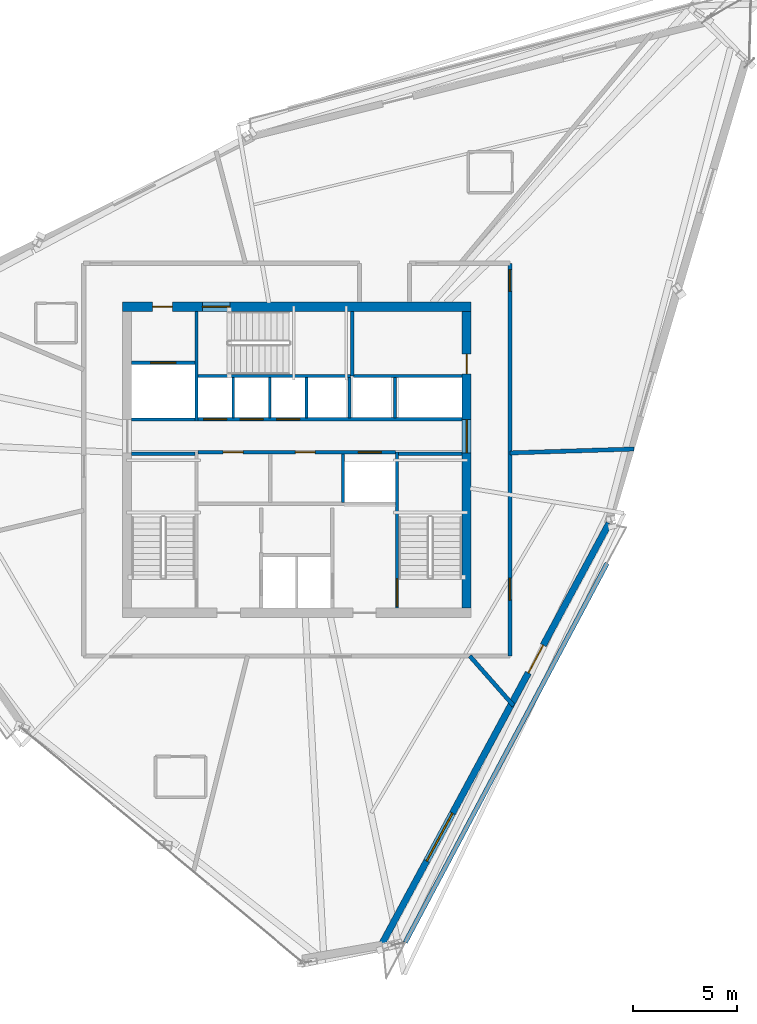
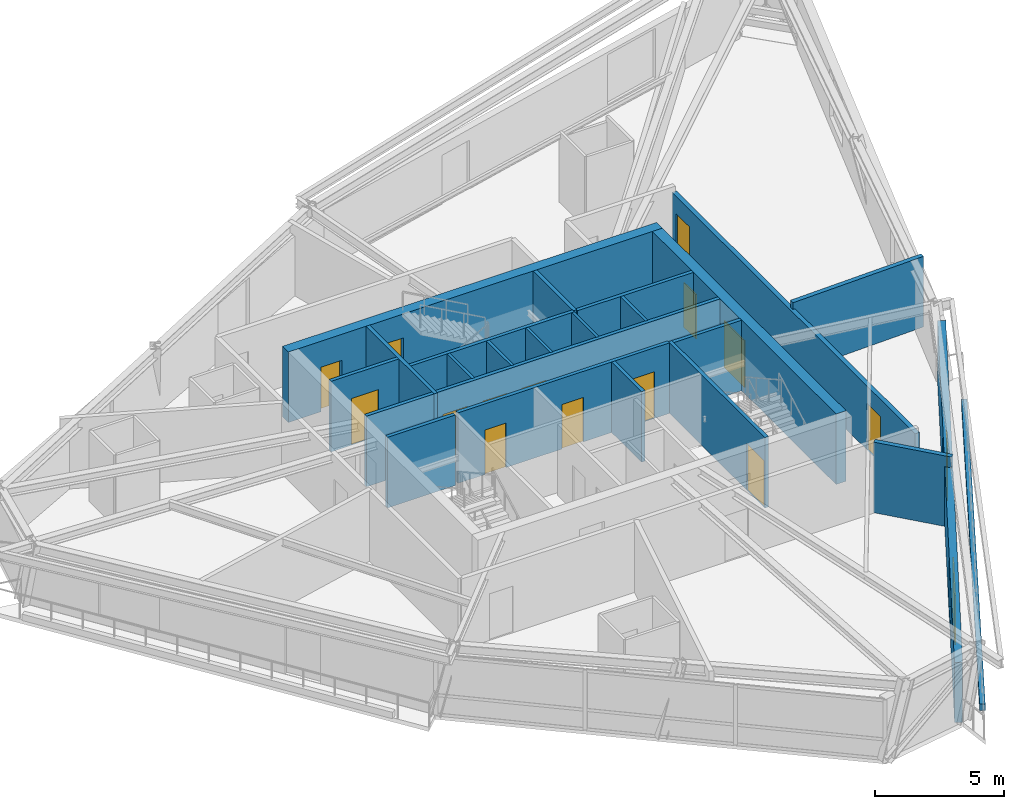
# One storey, part 10 of 14: 24 walls, 15 doors, 1 window, 16 openings.
"""IFC4 building model written with IfcOpenShell, lengths in metres."""

from ifc_helpers import new_model, si_unit, direction, frame, frame_2d, origin, place, context, subcontext, project, spatial, rectangle, extrude, source, transform, mapped, material, layer, layer_set, type_object, type_shapes, element, fill, save


model = new_model("IFC4")

# Units and contexts
model_context = context("Model", 3, precision=1e-05, world=origin(), true_north=direction((0.0, 1.0)))
body_context = subcontext(model_context, "Body", "Model", "MODEL_VIEW")
ifc_project = project(units=[si_unit("LENGTHUNIT", "METRE"), si_unit("AREAUNIT", "SQUARE_METRE"), si_unit("VOLUMEUNIT", "CUBIC_METRE"), si_unit("PLANEANGLEUNIT", "RADIAN"), si_unit("MASSUNIT", "GRAM", prefix="KILO")], contexts=[model_context])

# Site, building, storey
site_placement = place(None, origin())
site = spatial("IfcSite", under=ifc_project, at=site_placement, CompositionType="ELEMENT")
building_placement = place(site_placement, origin())
building = spatial("IfcBuilding", under=site, at=building_placement, Name="Olszyna Solenne Hotel", CompositionType="ELEMENT")
storey_placement = place(building_placement, frame((0.0, 0.0, 220.25)))
storey = spatial("IfcBuildingStorey", under=building, at=storey_placement, Name="L58", CompositionType="ELEMENT", Elevation=220.25)

# Wall, openings, doors
ifc_material_1 = material(Name="Concrete C50/60", Category="concrete")
ifc_layer_1 = layer(ifc_material_1, 0.449951171875, Name="Concrete C50/60")
ifc_layer_set_1 = layer_set([ifc_layer_1], Name="Concrete C50/60")
wall_type_1 = type_object("IfcWallType", Name="WL-CR450", PredefinedType="SHEAR", material=ifc_layer_set_1)
wall_1_placement = place(storey_placement, frame((29.64990234375, 33.925048828125, 0.0), z_axis=(0.0, 0.0, 1.0), x_axis=(1.0, 0.0, 0.0)))
wall_1 = element("IfcWall", 1, at=wall_1_placement, inside=storey, type_object=wall_type_1, Name="Core shear wall WL-CR450 CRW-L58-N", PredefinedType="SHEAR", context=body_context, shape_type="SweptSolid", body=[
    extrude(rectangle(XDim=16.7001953125, YDim=0.449951171875, at=frame_2d((8.35009765625, 0.0))), origin(), (0.0, 0.0, 1.0), 3.330078125),
])
opening_1_placement = place(wall_1_placement, frame((1.449951171875, 0.0, 0.0)))
opening_1 = element("IfcOpeningElement", 2, at=opening_1_placement, cuts=wall_1, Name="Opening SVD-L58-01", PredefinedType="OPENING", context=body_context, shape_type="SweptSolid", body=[
    extrude(rectangle(XDim=0.949951171875, YDim=2.10009765625, at=frame_2d((0.47509765625, 1.050048828125))), frame((0.0, 0.23486328125, 0.0), z_axis=(0.0, -1.0, 0.0), x_axis=(1.0, 0.0, 0.0)), (0.0, 0.0, 1.0), 0.469970703125),
])
opening_2_placement = place(wall_1_placement, frame((3.830078125, 0.0, 0.0)))
opening_2 = element("IfcOpeningElement", 3, at=opening_2_placement, cuts=wall_1, Name="Opening STD-L58-03", PredefinedType="OPENING", context=body_context, shape_type="SweptSolid", body=[
    extrude(rectangle(XDim=1.320068359375, YDim=2.199951171875, at=frame_2d((0.66015625, 1.10009765625))), frame((0.0, 0.23486328125, 0.0), z_axis=(0.0, -1.0, 0.0), x_axis=(1.0, 0.0, 0.0)), (0.0, 0.0, 1.0), 0.469970703125),
])
ifc_material_2 = material(Name="Steel S355J2", Category="steel")
door_type_1 = type_object("IfcDoorType", Name="DR-ST1", OperationType="NOTDEFINED", PredefinedType="DOOR", material=ifc_material_2)
shared_shape_1 = source(origin(), body_context, "Body", "SweptSolid", [
    extrude(rectangle(XDim=1.320068359375, YDim=2.199951171875, at=frame_2d((0.66015625, 1.10009765625))), frame((0.0, 0.02490234375, 0.0), z_axis=(0.0, -1.0, 0.0), x_axis=(1.0, 0.0, 0.0)), (0.0, 0.0, 1.0), 0.050048828125),
])
type_shapes(door_type_1, [shared_shape_1])
door_1_placement = place(opening_2_placement, origin())
door_1 = element("IfcDoor", 4, at=door_1_placement, inside=storey, type_object=door_type_1, Name="Pressurised exit stair ST3 fire door STD-L58-03", OperationType="SINGLE_SWING_RIGHT", OverallHeight=2.199951171875, OverallWidth=1.320068359375, PredefinedType="DOOR", context=body_context, shape_type="MappedRepresentation", body=[
    mapped(shared_shape_1, transform((0.0, 0.0, 0.0), x_axis=(1.0, 0.0, 0.0), y_axis=(0.0, 1.0, 0.0), z_axis=(0.0, 0.0, 1.0), scale=1.0)),
])
fill(opening_2, door_1)
door_type_2 = type_object("IfcDoorType", Name="DR-SV1", OperationType="NOTDEFINED", PredefinedType="DOOR", material=ifc_material_2)
shared_shape_2 = source(origin(), body_context, "Body", "SweptSolid", [
    extrude(rectangle(XDim=0.949951171875, YDim=2.10009765625, at=frame_2d((0.47509765625, 1.050048828125))), frame((0.0, 0.02490234375, 0.0), z_axis=(0.0, -1.0, 0.0), x_axis=(1.0, 0.0, 0.0)), (0.0, 0.0, 1.0), 0.050048828125),
])
type_shapes(door_type_2, [shared_shape_2])
door_2_placement = place(opening_1_placement, origin())
door_2 = element("IfcDoor", 5, at=door_2_placement, inside=storey, type_object=door_type_2, Name="Service lift lobby fire door SVD-L58-01", OperationType="SINGLE_SWING_LEFT", OverallHeight=2.10009765625, OverallWidth=0.949951171875, PredefinedType="DOOR", context=body_context, shape_type="MappedRepresentation", body=[
    mapped(shared_shape_2, transform((0.0, 0.0, 0.0), x_axis=(1.0, 0.0, 0.0), y_axis=(0.0, 1.0, 0.0), z_axis=(0.0, 0.0, 1.0), scale=1.0)),
])
fill(opening_1, door_2)

wall_2_placement = place(storey_placement, frame((46.125, 33.699951171875, 0.0), z_axis=(0.0, 0.0, 1.0), x_axis=(0.0, -1.0, 0.0)))
wall_2 = element("IfcWall", 6, at=wall_2_placement, inside=storey, type_object=wall_type_1, Name="Core shear wall WL-CR450 CRW-L58-E", PredefinedType="SHEAR", context=body_context, shape_type="SweptSolid", body=[
    extrude(rectangle(XDim=14.199951171875, YDim=0.449951171875, at=frame_2d((7.10009765625, 0.0))), origin(), (0.0, 0.0, 1.0), 3.330078125),
])
opening_3_placement = place(wall_2_placement, frame((5.179931640625, 0.0, 0.0)))
opening_3 = element("IfcOpeningElement", 7, at=opening_3_placement, cuts=wall_2, Name="Opening LHD-L58-E", PredefinedType="OPENING", context=body_context, shape_type="SweptSolid", body=[
    extrude(rectangle(XDim=1.60009765625, YDim=2.199951171875, at=frame_2d((0.800048828125, 1.10009765625))), frame((0.0, 0.23486328125, 0.0), z_axis=(0.0, -1.0, 0.0), x_axis=(1.0, 0.0, 0.0)), (0.0, 0.0, 1.0), 0.469970703125),
])
opening_4_placement = place(wall_2_placement, frame((2.050048828125, 0.0, 0.0)))
opening_4 = element("IfcOpeningElement", 8, at=opening_4_placement, cuts=wall_2, Name="Opening SVD-L58-BE", PredefinedType="OPENING", context=body_context, shape_type="SweptSolid", body=[
    extrude(rectangle(XDim=0.949951171875, YDim=2.10009765625, at=frame_2d((0.47509765625, 1.050048828125))), frame((0.0, 0.23486328125, 0.0), z_axis=(0.0, -1.0, 0.0), x_axis=(1.0, 0.0, 0.0)), (0.0, 0.0, 1.0), 0.469970703125),
])
door_3_placement = place(opening_4_placement, origin())
door_3 = element("IfcDoor", 9, at=door_3_placement, inside=storey, type_object=door_type_2, Name="Housekeeping core fire door SVD-L58-BE", OperationType="SINGLE_SWING_RIGHT", OverallHeight=2.10009765625, OverallWidth=0.949951171875, PredefinedType="DOOR", context=body_context, shape_type="MappedRepresentation", body=[
    mapped(shared_shape_2, transform((0.0, 0.0, 0.0), x_axis=(1.0, 0.0, 0.0), y_axis=(0.0, 1.0, 0.0), z_axis=(0.0, 0.0, 1.0), scale=1.0)),
])
fill(opening_4, door_3)
ifc_material_3 = material(Name="Timber hardwood", Category="wood")
door_type_3 = type_object("IfcDoorType", Name="DR-CR1", OperationType="DOUBLE_DOOR_SINGLE_SWING", PredefinedType="DOOR", material=ifc_material_3)
shared_shape_3 = source(origin(), body_context, "Body", "SweptSolid", [
    extrude(rectangle(XDim=1.60009765625, YDim=2.199951171875, at=frame_2d((0.800048828125, 1.10009765625))), frame((0.0, 0.02490234375, 0.0), z_axis=(0.0, -1.0, 0.0), x_axis=(1.0, 0.0, 0.0)), (0.0, 0.0, 1.0), 0.050048828125),
])
type_shapes(door_type_3, [shared_shape_3])
door_4_placement = place(opening_3_placement, origin())
door_4 = element("IfcDoor", 10, at=door_4_placement, inside=storey, type_object=door_type_3, Name="Passenger lift lobby East fire door LHD-L58-E", OperationType="DOUBLE_DOOR_SINGLE_SWING", OverallHeight=2.199951171875, OverallWidth=1.60009765625, PredefinedType="DOOR", context=body_context, shape_type="MappedRepresentation", body=[
    mapped(shared_shape_3, transform((0.0, 0.0, 0.0), x_axis=(1.0, 0.0, 0.0), y_axis=(0.0, 1.0, 0.0), z_axis=(0.0, 0.0, 1.0), scale=1.0)),
])
fill(opening_3, door_4)

# Wall, openings, door, window
ifc_material_4 = material(Name="Precast concrete C45/55", Category="concrete")
ifc_layer_2 = layer(ifc_material_4, 0.320068359375, Name="Precast concrete C45/55")
ifc_layer_set_2 = layer_set([ifc_layer_2], Name="Precast concrete C45/55")
wall_type_2 = type_object("IfcWallType", Name="WL-EX320", PredefinedType="SOLIDWALL", material=ifc_layer_set_2)
wall_3_placement = place(storey_placement, frame((52.9501953125, 23.555419921875, 0.0), z_axis=(0.0, 0.0, 1.0), x_axis=(-0.475160220621, -0.879899292385, 0.0)))
wall_3 = element("IfcWall", 11, at=wall_3_placement, inside=storey, type_object=wall_type_2, Name="Exterior terracotta-precast frame wall WL-EX320 EW-L58-01", PredefinedType="SOLIDWALL", context=body_context, shape_type="SweptSolid", body=[
    extrude(rectangle(XDim=23.072021484375, YDim=0.320068359375, at=frame_2d((11.5361328125, 0.0))), origin(), (0.0, 0.0, 1.0), 2.822021484375),
])
opening_5_placement = place(wall_3_placement, frame((6.633056640625, 0.0, 0.0)))
opening_5 = element("IfcOpeningElement", 12, at=opening_5_placement, cuts=wall_3, Name="Opening LDG-L58-3", PredefinedType="OPENING", context=body_context, shape_type="SweptSolid", body=[
    extrude(rectangle(XDim=1.5, YDim=2.300048828125, at=frame_2d((0.75, 1.14990234375))), frame((0.0, 0.169921875, 0.0), z_axis=(0.0, -1.0, 0.0), x_axis=(1.0, 0.0, 0.0)), (0.0, 0.0, 1.0), 0.340087890625),
])
opening_6_placement = place(wall_3_placement, frame((15.77294921875, 0.0, 0.35205078125)))
opening_6 = element("IfcOpeningElement", 13, at=opening_6_placement, cuts=wall_3, Name="Opening WN-L58-373", PredefinedType="OPENING", context=body_context, shape_type="SweptSolid", body=[
    extrude(rectangle(XDim=2.60009765625, YDim=2.35009765625, at=frame_2d((1.300048828125, 1.175048828125))), frame((0.0, 0.169921875, 0.0), z_axis=(0.0, -1.0, 0.0), x_axis=(1.0, 0.0, 0.0)), (0.0, 0.0, 1.0), 0.340087890625),
])
ifc_material_5 = material(Name="Anodised bronze aluminium", Category="aluminium")
door_type_4 = type_object("IfcDoorType", Name="DR-LG2", OperationType="DOUBLE_DOOR_SINGLE_SWING", PredefinedType="DOOR", material=ifc_material_5)
shared_shape_4 = source(origin(), body_context, "Body", "SweptSolid", [
    extrude(rectangle(XDim=1.5, YDim=2.300048828125, at=frame_2d((0.75, 1.14990234375))), frame((0.0, 0.02490234375, 0.0), z_axis=(0.0, -1.0, 0.0), x_axis=(1.0, 0.0, 0.0)), (0.0, 0.0, 1.0), 0.050048828125),
])
type_shapes(door_type_4, [shared_shape_4])
door_5_placement = place(opening_5_placement, origin())
door_5 = element("IfcDoor", 14, at=door_5_placement, inside=storey, type_object=door_type_4, Name="Exterior loggia balcony door DR-LG2 LDG-L58-3", OperationType="DOUBLE_DOOR_SINGLE_SWING", OverallHeight=2.300048828125, OverallWidth=1.5, PredefinedType="DOOR", context=body_context, shape_type="MappedRepresentation", body=[
    mapped(shared_shape_4, transform((0.0, 0.0, 0.0), x_axis=(1.0, 0.0, 0.0), y_axis=(0.0, 1.0, 0.0), z_axis=(0.0, 0.0, 1.0), scale=1.0)),
])
fill(opening_5, door_5)
ifc_material_6 = material(Name="Low-E triple glazing", Category="glass")
window_type = type_object("IfcWindowType", Name="WN-ST1", PartitioningType="SINGLE_PANEL", PredefinedType="WINDOW", material=ifc_material_6)
shared_shape_5 = source(origin(), body_context, "Body", "SweptSolid", [
    extrude(rectangle(XDim=2.60009765625, YDim=2.35009765625, at=frame_2d((1.300048828125, 1.175048828125))), frame((0.0, 0.030029296875, 0.0), z_axis=(0.0, -1.0, 0.0), x_axis=(1.0, 0.0, 0.0)), (0.0, 0.0, 1.0), 0.06005859375),
])
type_shapes(window_type, [shared_shape_5])
window_placement = place(opening_6_placement, origin())
window = element("IfcWindow", 15, at=window_placement, inside=storey, type_object=window_type, Name="Loggia room window WN-ST1 WN-L58-373", OverallHeight=2.35009765625, OverallWidth=2.60009765625, PartitioningType="SINGLE_PANEL", PredefinedType="WINDOW", context=body_context, shape_type="MappedRepresentation", body=[
    mapped(shared_shape_5, transform((0.0, 0.0, 0.0), x_axis=(1.0, 0.0, 0.0), y_axis=(0.0, 1.0, 0.0), z_axis=(0.0, 0.0, 1.0), scale=1.0)),
])
fill(opening_6, window)

# Walls
ifc_layer_3 = layer(ifc_material_4, 0.219970703125, Name="Precast concrete C45/55")
ifc_layer_set_3 = layer_set([ifc_layer_3], Name="Precast concrete C45/55")
wall_type_3 = type_object("IfcWallType", Name="WL-PR220", PredefinedType="PARAPET", material=ifc_layer_set_3)
wall_4_placement = place(storey_placement, frame((43.192626953125, 3.4951171875, 0.0), z_axis=(0.0, 0.0, 1.0), x_axis=(0.4699616568, 0.882686830726, 0.0)))
element("IfcWall", 16, at=wall_4_placement, inside=storey, type_object=wall_type_3, Name="Loggia balcony precast kerb PR-L58-LG3", PredefinedType="PARAPET", context=body_context, shape_type="SweptSolid", body=[
    extrude(rectangle(XDim=20.551025390625, YDim=0.219970703125, at=frame_2d((10.275390625, 0.0))), origin(), (0.0, 0.0, 1.0), 0.300048828125),
])
ifc_material_7 = material(Name="Acoustic gypsum partition", Category="gypsum")
ifc_layer_4 = layer(ifc_material_7, 0.125, Name="Acoustic gypsum partition")
ifc_layer_set_4 = layer_set([ifc_layer_4], Name="Acoustic gypsum partition")
wall_type_4 = type_object("IfcWallType", Name="WL-PT125", PredefinedType="PARTITIONING", material=ifc_layer_set_4)
for number, where, z_axis, x_axis, name in (
    (17, (34.965087890625, 28.60009765625, 0.0), (0.0, 0.0, 1.0), (0.0, 1.0, 0.0), "Core shaft compartment wall CW-L58-DIVN349"),
    (18, (36.715087890625, 28.60009765625, 0.0), (0.0, 0.0, 1.0), (0.0, 1.0, 0.0), "Core shaft compartment wall CW-L58-DIVN367"),
    (19, (38.465087890625, 28.60009765625, 0.0), (0.0, 0.0, 1.0), (0.0, 1.0, 0.0), "Core shaft compartment wall CW-L58-DIVN384"),
    (20, (40.52490234375, 28.60009765625, 0.0), (0.0, 0.0, 1.0), (0.0, 1.0, 0.0), "Core shaft compartment wall CW-L58-DIVEX405"),
    (21, (42.699951171875, 28.60009765625, 0.0), (0.0, 0.0, 1.0), (0.0, 1.0, 0.0), "Core shaft compartment wall CW-L58-DIVEX427"),
):
    element("IfcWall", number, at=place(storey_placement, frame(where, z_axis=z_axis, x_axis=x_axis)), inside=storey, type_object=wall_type_4, Name=name, PredefinedType="PARTITIONING", context=body_context, shape_type="SweptSolid", body=[
        extrude(rectangle(XDim=1.919921875, YDim=0.125, at=frame_2d((0.9599609375, 0.0))), origin(), (0.0, 0.0, 1.0), 3.330078125),
    ])
ifc_layer_5 = layer(ifc_material_7, 0.159912109375, Name="Acoustic gypsum partition")
ifc_layer_set_5 = layer_set([ifc_layer_5], Name="Acoustic gypsum partition")
wall_type_5 = type_object("IfcWallType", Name="WL-PT160", PredefinedType="PARTITIONING", material=ifc_layer_set_5)
wall_5_placement = place(storey_placement, frame((30.10009765625, 26.8798828125, 0.0), z_axis=(0.0, 0.0, 1.0), x_axis=(1.0, 0.0, 0.0)))
element("IfcWall", 22, at=wall_5_placement, inside=storey, type_object=wall_type_5, Name="Core shaft compartment wall CW-L58-ST1N", PredefinedType="PARTITIONING", context=body_context, shape_type="SweptSolid", body=[
    extrude(rectangle(XDim=3.02001953125, YDim=0.159912109375, at=frame_2d((1.510009765625, 0.0))), origin(), (0.0, 0.0, 1.0), 3.330078125),
])

# Wall, opening, door
wall_6_placement = place(storey_placement, frame((42.800048828125, 26.9599609375, 0.0), z_axis=(0.0, 0.0, 1.0), x_axis=(0.0, -1.0, 0.0)))
wall_6 = element("IfcWall", 23, at=wall_6_placement, inside=storey, type_object=wall_type_5, Name="Core shaft compartment wall CW-L58-ST2W", PredefinedType="PARTITIONING", context=body_context, shape_type="SweptSolid", body=[
    extrude(rectangle(XDim=7.4599609375, YDim=0.159912109375, at=frame_2d((3.72998046875, 0.0))), origin(), (0.0, 0.0, 1.0), 3.330078125),
])
opening_7_placement = place(wall_6_placement, frame((6.06005859375, 0.0, 0.0)))
opening_7 = element("IfcOpeningElement", 24, at=opening_7_placement, cuts=wall_6, Name="Opening STD-L58-02", PredefinedType="OPENING", context=body_context, shape_type="SweptSolid", body=[
    extrude(rectangle(XDim=1.320068359375, YDim=2.199951171875, at=frame_2d((0.66015625, 1.10009765625))), frame((0.0, 0.08984375, 0.0), z_axis=(0.0, -1.0, 0.0), x_axis=(1.0, 0.0, 0.0)), (0.0, 0.0, 1.0), 0.179931640625),
])
door_6_placement = place(opening_7_placement, origin())
door_6 = element("IfcDoor", 25, at=door_6_placement, inside=storey, type_object=door_type_1, Name="Pressurised exit stair ST2 fire door STD-L58-02", OperationType="SINGLE_SWING_RIGHT", OverallHeight=2.199951171875, OverallWidth=1.320068359375, PredefinedType="DOOR", context=body_context, shape_type="MappedRepresentation", body=[
    mapped(shared_shape_1, transform((0.0, 0.0, 0.0), x_axis=(1.0, 0.0, 0.0), y_axis=(0.0, 1.0, 0.0), z_axis=(0.0, 0.0, 1.0), scale=1.0)),
])
fill(opening_7, door_6)

# Walls
wall_7_placement = place(storey_placement, frame((42.8798828125, 26.8798828125, 0.0), z_axis=(0.0, 0.0, 1.0), x_axis=(1.0, 0.0, 0.0)))
element("IfcWall", 26, at=wall_7_placement, inside=storey, type_object=wall_type_5, Name="Core shaft compartment wall CW-L58-ST2N", PredefinedType="PARTITIONING", context=body_context, shape_type="SweptSolid", body=[
    extrude(rectangle(XDim=3.02001953125, YDim=0.159912109375, at=frame_2d((1.510009765625, 0.0))), origin(), (0.0, 0.0, 1.0), 3.330078125),
])
wall_8_placement = place(storey_placement, frame((33.280029296875, 30.60009765625, 0.0), z_axis=(0.0, 0.0, 1.0), x_axis=(1.0, 0.0, 0.0)))
element("IfcWall", 27, at=wall_8_placement, inside=storey, type_object=wall_type_5, Name="Core shaft compartment wall CW-L58-ST3S", PredefinedType="PARTITIONING", context=body_context, shape_type="SweptSolid", body=[
    extrude(rectangle(XDim=7.300048828125, YDim=0.159912109375, at=frame_2d((3.64990234375, 0.0))), origin(), (0.0, 0.0, 1.0), 3.330078125),
])
wall_9_placement = place(storey_placement, frame((40.659912109375, 30.60009765625, 0.0), z_axis=(0.0, 0.0, 1.0), x_axis=(0.0, 1.0, 0.0)))
element("IfcWall", 28, at=wall_9_placement, inside=storey, type_object=wall_type_5, Name="Core shaft compartment wall CW-L58-ST3E", PredefinedType="PARTITIONING", context=body_context, shape_type="SweptSolid", body=[
    extrude(rectangle(XDim=3.099853515625, YDim=0.159912109375, at=frame_2d((1.5498046875, 0.0))), origin(), (0.0, 0.0, 1.0), 3.330078125),
])
wall_10_placement = place(storey_placement, frame((30.10009765625, 28.52001953125, 0.0), z_axis=(0.0, 0.0, 1.0), x_axis=(1.0, 0.0, 0.0)))
element("IfcWall", 29, at=wall_10_placement, inside=storey, type_object=wall_type_5, Name="Core shaft compartment wall CW-L58-SV1S", PredefinedType="PARTITIONING", context=body_context, shape_type="SweptSolid", body=[
    extrude(rectangle(XDim=3.02001953125, YDim=0.159912109375, at=frame_2d((1.510009765625, 0.0))), origin(), (0.0, 0.0, 1.0), 3.330078125),
])
wall_11_placement = place(storey_placement, frame((33.199951171875, 28.43994140625, 0.0), z_axis=(0.0, 0.0, 1.0), x_axis=(0.0, 1.0, 0.0)))
element("IfcWall", 30, at=wall_11_placement, inside=storey, type_object=wall_type_5, Name="Core shaft compartment wall CW-L58-SV1E", PredefinedType="PARTITIONING", context=body_context, shape_type="SweptSolid", body=[
    extrude(rectangle(XDim=5.260009765625, YDim=0.159912109375, at=frame_2d((2.6298828125, 0.0))), origin(), (0.0, 0.0, 1.0), 3.330078125),
])

# Wall, opening, door
wall_12_placement = place(storey_placement, frame((30.10009765625, 31.239990234375, 0.0), z_axis=(0.0, 0.0, 1.0), x_axis=(1.0, 0.0, 0.0)))
wall_12 = element("IfcWall", 31, at=wall_12_placement, inside=storey, type_object=wall_type_5, Name="Core shaft compartment wall CW-L58-SV1N", PredefinedType="PARTITIONING", context=body_context, shape_type="SweptSolid", body=[
    extrude(rectangle(XDim=3.02001953125, YDim=0.159912109375, at=frame_2d((1.510009765625, 0.0))), origin(), (0.0, 0.0, 1.0), 3.330078125),
])
opening_8_placement = place(wall_12_placement, frame((0.909912109375, 0.0, 0.0)))
opening_8 = element("IfcOpeningElement", 32, at=opening_8_placement, cuts=wall_12, Name="Opening LD-L58-SV1", PredefinedType="OPENING", context=body_context, shape_type="SweptSolid", body=[
    extrude(rectangle(XDim=1.199951171875, YDim=2.199951171875, at=frame_2d((0.60009765625, 1.10009765625))), frame((0.0, 0.08984375, 0.0), z_axis=(0.0, -1.0, 0.0), x_axis=(1.0, 0.0, 0.0)), (0.0, 0.0, 1.0), 0.179931640625),
])
door_type_5 = type_object("IfcDoorType", Name="LD-FF1", OperationType="DOUBLE_DOOR_SLIDING", PredefinedType="DOOR", material=ifc_material_2)
shared_shape_6 = source(origin(), body_context, "Body", "SweptSolid", [
    extrude(rectangle(XDim=1.199951171875, YDim=2.199951171875, at=frame_2d((0.60009765625, 1.10009765625))), frame((0.0, 0.02490234375, 0.0), z_axis=(0.0, -1.0, 0.0), x_axis=(1.0, 0.0, 0.0)), (0.0, 0.0, 1.0), 0.050048828125),
])
type_shapes(door_type_5, [shared_shape_6])
door_7_placement = place(opening_8_placement, origin())
door_7 = element("IfcDoor", 33, at=door_7_placement, inside=storey, type_object=door_type_5, Name="Service lift SV1 sliding landing door LD-L58-SV1", OperationType="DOUBLE_DOOR_SLIDING", OverallHeight=2.199951171875, OverallWidth=1.199951171875, PredefinedType="DOOR", context=body_context, shape_type="MappedRepresentation", body=[
    mapped(shared_shape_6, transform((0.0, 0.0, 0.0), x_axis=(1.0, 0.0, 0.0), y_axis=(0.0, 1.0, 0.0), z_axis=(0.0, 0.0, 1.0), scale=1.0)),
])
fill(opening_8, door_7)

# Wall, openings, doors
wall_13_placement = place(storey_placement, frame((33.280029296875, 26.949951171875, 0.0), z_axis=(0.0, 0.0, 1.0), x_axis=(1.0, 0.0, 0.0)))
wall_13 = element("IfcWall", 34, at=wall_13_placement, inside=storey, type_object=wall_type_5, Name="Core shaft compartment wall CW-L58-LRS", PredefinedType="PARTITIONING", context=body_context, shape_type="SweptSolid", body=[
    extrude(rectangle(XDim=9.43994140625, YDim=0.159912109375, at=frame_2d((4.719970703125, 0.0))), origin(), (0.0, 0.0, 1.0), 3.330078125),
])
opening_9_placement = place(wall_13_placement, frame((1.199951171875, 0.0, 0.0)))
opening_9 = element("IfcOpeningElement", 35, at=opening_9_placement, cuts=wall_13, Name="Opening SVD-L58-L71", PredefinedType="OPENING", context=body_context, shape_type="SweptSolid", body=[
    extrude(rectangle(XDim=0.949951171875, YDim=2.10009765625, at=frame_2d((0.47509765625, 1.050048828125))), frame((0.0, 0.08984375, 0.0), z_axis=(0.0, -1.0, 0.0), x_axis=(1.0, 0.0, 0.0)), (0.0, 0.0, 1.0), 0.179931640625),
])
opening_10_placement = place(wall_13_placement, frame((4.64990234375, 0.0, 0.0)))
opening_10 = element("IfcOpeningElement", 36, at=opening_10_placement, cuts=wall_13, Name="Opening SVD-L58-L72", PredefinedType="OPENING", context=body_context, shape_type="SweptSolid", body=[
    extrude(rectangle(XDim=0.949951171875, YDim=2.10009765625, at=frame_2d((0.47509765625, 1.050048828125))), frame((0.0, 0.08984375, 0.0), z_axis=(0.0, -1.0, 0.0), x_axis=(1.0, 0.0, 0.0)), (0.0, 0.0, 1.0), 0.179931640625),
])
opening_11_placement = place(wall_13_placement, frame((7.669921875, 0.0, 0.0)))
opening_11 = element("IfcOpeningElement", 37, at=opening_11_placement, cuts=wall_13, Name="Opening LD-L58-PL5", PredefinedType="OPENING", context=body_context, shape_type="SweptSolid", body=[
    extrude(rectangle(XDim=1.10009765625, YDim=2.199951171875, at=frame_2d((0.550048828125, 1.10009765625))), frame((0.0, 0.08984375, 0.0), z_axis=(0.0, -1.0, 0.0), x_axis=(1.0, 0.0, 0.0)), (0.0, 0.0, 1.0), 0.179931640625),
])
door_8_placement = place(opening_9_placement, origin())
door_8 = element("IfcDoor", 38, at=door_8_placement, inside=storey, type_object=door_type_2, Name="Recaptured core room fire door SVD-L58-L71", OperationType="SINGLE_SWING_LEFT", OverallHeight=2.10009765625, OverallWidth=0.949951171875, PredefinedType="DOOR", context=body_context, shape_type="MappedRepresentation", body=[
    mapped(shared_shape_2, transform((0.0, 0.0, 0.0), x_axis=(1.0, 0.0, 0.0), y_axis=(0.0, 1.0, 0.0), z_axis=(0.0, 0.0, 1.0), scale=1.0)),
])
fill(opening_9, door_8)
door_9_placement = place(opening_10_placement, origin())
door_9 = element("IfcDoor", 39, at=door_9_placement, inside=storey, type_object=door_type_2, Name="Recaptured core room fire door SVD-L58-L72", OperationType="SINGLE_SWING_RIGHT", OverallHeight=2.10009765625, OverallWidth=0.949951171875, PredefinedType="DOOR", context=body_context, shape_type="MappedRepresentation", body=[
    mapped(shared_shape_2, transform((0.0, 0.0, 0.0), x_axis=(1.0, 0.0, 0.0), y_axis=(0.0, 1.0, 0.0), z_axis=(0.0, 0.0, 1.0), scale=1.0)),
])
fill(opening_10, door_9)
door_type_6 = type_object("IfcDoorType", Name="LD-P1", OperationType="DOUBLE_DOOR_SLIDING", PredefinedType="DOOR", material=ifc_material_2)
shared_shape_7 = source(origin(), body_context, "Body", "SweptSolid", [
    extrude(rectangle(XDim=1.10009765625, YDim=2.199951171875, at=frame_2d((0.550048828125, 1.10009765625))), frame((0.0, 0.02490234375, 0.0), z_axis=(0.0, -1.0, 0.0), x_axis=(1.0, 0.0, 0.0)), (0.0, 0.0, 1.0), 0.050048828125),
])
type_shapes(door_type_6, [shared_shape_7])
door_10_placement = place(opening_11_placement, origin())
door_10 = element("IfcDoor", 40, at=door_10_placement, inside=storey, type_object=door_type_6, Name="Passenger lift PL5 sliding landing door LD-L58-PL5", OperationType="DOUBLE_DOOR_SLIDING", OverallHeight=2.199951171875, OverallWidth=1.10009765625, PredefinedType="DOOR", context=body_context, shape_type="MappedRepresentation", body=[
    mapped(shared_shape_7, transform((0.0, 0.0, 0.0), x_axis=(1.0, 0.0, 0.0), y_axis=(0.0, 1.0, 0.0), z_axis=(0.0, 0.0, 1.0), scale=1.0)),
])
fill(opening_11, door_10)

# Wall
wall_14_placement = place(storey_placement, frame((40.215087890625, 24.56005859375, 0.0), z_axis=(0.0, 0.0, 1.0), x_axis=(0.0, 1.0, 0.0)))
element("IfcWall", 41, at=wall_14_placement, inside=storey, type_object=wall_type_5, Name="Core shaft compartment wall CW-L58-LV7DIV2", PredefinedType="PARTITIONING", context=body_context, shape_type="SweptSolid", body=[
    extrude(rectangle(XDim=2.31005859375, YDim=0.159912109375, at=frame_2d((1.155029296875, 0.0))), origin(), (0.0, 0.0, 1.0), 3.330078125),
])

# Wall, openings, doors
wall_15_placement = place(storey_placement, frame((33.280029296875, 28.5400390625, 0.0), z_axis=(0.0, 0.0, 1.0), x_axis=(1.0, 0.0, 0.0)))
wall_15 = element("IfcWall", 42, at=wall_15_placement, inside=storey, type_object=wall_type_5, Name="Core shaft compartment wall CW-L58-LRN", PredefinedType="PARTITIONING", context=body_context, shape_type="SweptSolid", body=[
    extrude(rectangle(XDim=12.619873046875, YDim=0.159912109375, at=frame_2d((6.31005859375, 0.0))), origin(), (0.0, 0.0, 1.0), 3.330078125),
])
opening_12_placement = place(wall_15_placement, frame((0.260009765625, 0.0, 0.0)))
opening_12 = element("IfcOpeningElement", 43, at=opening_12_placement, cuts=wall_15, Name="Opening LD-L58-PL6", PredefinedType="OPENING", context=body_context, shape_type="SweptSolid", body=[
    extrude(rectangle(XDim=1.10009765625, YDim=2.199951171875, at=frame_2d((0.550048828125, 1.10009765625))), frame((0.0, 0.08984375, 0.0), z_axis=(0.0, -1.0, 0.0), x_axis=(1.0, 0.0, 0.0)), (0.0, 0.0, 1.0), 0.179931640625),
])
opening_13_placement = place(wall_15_placement, frame((2.010009765625, 0.0, 0.0)))
opening_13 = element("IfcOpeningElement", 44, at=opening_13_placement, cuts=wall_15, Name="Opening LD-L58-PL7", PredefinedType="OPENING", context=body_context, shape_type="SweptSolid", body=[
    extrude(rectangle(XDim=1.10009765625, YDim=2.199951171875, at=frame_2d((0.550048828125, 1.10009765625))), frame((0.0, 0.08984375, 0.0), z_axis=(0.0, -1.0, 0.0), x_axis=(1.0, 0.0, 0.0)), (0.0, 0.0, 1.0), 0.179931640625),
])
opening_14_placement = place(wall_15_placement, frame((3.760009765625, 0.0, 0.0)))
opening_14 = element("IfcOpeningElement", 45, at=opening_14_placement, cuts=wall_15, Name="Opening LD-L58-PL8", PredefinedType="OPENING", context=body_context, shape_type="SweptSolid", body=[
    extrude(rectangle(XDim=1.10009765625, YDim=2.199951171875, at=frame_2d((0.550048828125, 1.10009765625))), frame((0.0, 0.08984375, 0.0), z_axis=(0.0, -1.0, 0.0), x_axis=(1.0, 0.0, 0.0)), (0.0, 0.0, 1.0), 0.179931640625),
])
door_11_placement = place(opening_12_placement, origin())
door_11 = element("IfcDoor", 46, at=door_11_placement, inside=storey, type_object=door_type_6, Name="Passenger lift PL6 sliding landing door LD-L58-PL6", OperationType="DOUBLE_DOOR_SLIDING", OverallHeight=2.199951171875, OverallWidth=1.10009765625, PredefinedType="DOOR", context=body_context, shape_type="MappedRepresentation", body=[
    mapped(shared_shape_7, transform((0.0, 0.0, 0.0), x_axis=(1.0, 0.0, 0.0), y_axis=(0.0, 1.0, 0.0), z_axis=(0.0, 0.0, 1.0), scale=1.0)),
])
fill(opening_12, door_11)
door_12_placement = place(opening_13_placement, origin())
door_12 = element("IfcDoor", 47, at=door_12_placement, inside=storey, type_object=door_type_6, Name="Passenger lift PL7 sliding landing door LD-L58-PL7", OperationType="DOUBLE_DOOR_SLIDING", OverallHeight=2.199951171875, OverallWidth=1.10009765625, PredefinedType="DOOR", context=body_context, shape_type="MappedRepresentation", body=[
    mapped(shared_shape_7, transform((0.0, 0.0, 0.0), x_axis=(1.0, 0.0, 0.0), y_axis=(0.0, 1.0, 0.0), z_axis=(0.0, 0.0, 1.0), scale=1.0)),
])
fill(opening_13, door_12)
door_13_placement = place(opening_14_placement, origin())
door_13 = element("IfcDoor", 48, at=door_13_placement, inside=storey, type_object=door_type_6, Name="Passenger lift PL8 sliding landing door LD-L58-PL8", OperationType="DOUBLE_DOOR_SLIDING", OverallHeight=2.199951171875, OverallWidth=1.10009765625, PredefinedType="DOOR", context=body_context, shape_type="MappedRepresentation", body=[
    mapped(shared_shape_7, transform((0.0, 0.0, 0.0), x_axis=(1.0, 0.0, 0.0), y_axis=(0.0, 1.0, 0.0), z_axis=(0.0, 0.0, 1.0), scale=1.0)),
])
fill(opening_14, door_13)

# Walls
wall_16_placement = place(storey_placement, frame((40.719970703125, 30.60009765625, 0.0), z_axis=(0.0, 0.0, 1.0), x_axis=(1.0, 0.0, 0.0)))
element("IfcWall", 49, at=wall_16_placement, inside=storey, type_object=wall_type_5, Name="Core shaft compartment wall CW-L58-LRNTOP", PredefinedType="PARTITIONING", context=body_context, shape_type="SweptSolid", body=[
    extrude(rectangle(XDim=5.179931640625, YDim=0.159912109375, at=frame_2d((2.58984375, 0.0))), origin(), (0.0, 0.0, 1.0), 3.330078125),
])
ifc_layer_6 = layer(ifc_material_7, 0.199951171875, Name="Acoustic gypsum partition")
ifc_layer_set_6 = layer_set([ifc_layer_6], Name="Acoustic gypsum partition")
wall_type_6 = type_object("IfcWallType", Name="WL-PT200", PredefinedType="PARTITIONING", material=ifc_layer_set_6)
wall_17_placement = place(storey_placement, frame((46.2822265625, 17.199951171875, 0.0), z_axis=(0.0, 0.0, 1.0), x_axis=(0.66111511251, -0.75028448472, 0.0)))
element("IfcWall", 50, at=wall_17_placement, inside=storey, type_object=wall_type_6, Name="Interior acoustic partition WL-PT200 PW-L58-3224", PredefinedType="PARTITIONING", context=body_context, shape_type="SweptSolid", body=[
    extrude(rectangle(XDim=3.17333984375, YDim=0.199951171875, at=frame_2d((1.586669921875, 0.0))), origin(), (0.0, 0.0, 1.0), 3.330078125),
])
wall_18_placement = place(storey_placement, frame((48.199951171875, 26.921142578125, 0.0), z_axis=(0.0, 0.0, 1.0), x_axis=(0.99950422515, 0.031484979087, 0.0)))
element("IfcWall", 51, at=wall_18_placement, inside=storey, type_object=wall_type_6, Name="Interior acoustic partition WL-PT200 PW-L58-3225", PredefinedType="PARTITIONING", context=body_context, shape_type="SweptSolid", body=[
    extrude(rectangle(XDim=5.939697265625, YDim=0.199951171875, at=frame_2d((2.9697265625, 0.0))), origin(), (0.0, 0.0, 1.0), 3.330078125),
])

# Wall, openings, doors
wall_19_placement = place(storey_placement, frame((48.199951171875, 17.199951171875, 0.0), z_axis=(0.0, 0.0, 1.0), x_axis=(0.0, 1.0, 0.0)))
wall_19 = element("IfcWall", 52, at=wall_19_placement, inside=storey, type_object=wall_type_6, Name="Interior acoustic partition WL-PT200 PW-L58-3251", PredefinedType="PARTITIONING", context=body_context, shape_type="SweptSolid", body=[
    extrude(rectangle(XDim=18.800048828125, YDim=0.199951171875, at=frame_2d((9.39990234375, 0.0))), origin(), (0.0, 0.0, 1.0), 3.014892578125),
])
opening_15_placement = place(wall_19_placement, frame((2.679931640625, 0.0, 0.0)))
opening_15 = element("IfcOpeningElement", 53, at=opening_15_placement, cuts=wall_19, Name="Opening DR-L58-0791", PredefinedType="OPENING", context=body_context, shape_type="SweptSolid", body=[
    extrude(rectangle(XDim=1.050048828125, YDim=2.199951171875, at=frame_2d((0.52490234375, 1.10009765625))), frame((0.0, 0.10986328125, 0.0), z_axis=(0.0, -1.0, 0.0), x_axis=(1.0, 0.0, 0.0)), (0.0, 0.0, 1.0), 0.219970703125),
])
opening_16_placement = place(wall_19_placement, frame((17.449951171875, 0.0, 0.0)))
opening_16 = element("IfcOpeningElement", 54, at=opening_16_placement, cuts=wall_19, Name="Opening DR-L58-0792", PredefinedType="OPENING", context=body_context, shape_type="SweptSolid", body=[
    extrude(rectangle(XDim=1.050048828125, YDim=2.199951171875, at=frame_2d((0.52490234375, 1.10009765625))), frame((0.0, 0.10986328125, 0.0), z_axis=(0.0, -1.0, 0.0), x_axis=(1.0, 0.0, 0.0)), (0.0, 0.0, 1.0), 0.219970703125),
])
door_type_7 = type_object("IfcDoorType", Name="DR-RM2", OperationType="NOTDEFINED", PredefinedType="DOOR", material=ifc_material_3)
shared_shape_8 = source(origin(), body_context, "Body", "SweptSolid", [
    extrude(rectangle(XDim=1.050048828125, YDim=2.199951171875, at=frame_2d((0.52490234375, 1.10009765625))), frame((0.0, 0.02490234375, 0.0), z_axis=(0.0, -1.0, 0.0), x_axis=(1.0, 0.0, 0.0)), (0.0, 0.0, 1.0), 0.050048828125),
])
type_shapes(door_type_7, [shared_shape_8])
door_14_placement = place(opening_15_placement, origin())
door_14 = element("IfcDoor", 55, at=door_14_placement, inside=storey, type_object=door_type_7, Name="Wellness Spa Studio Entrance Door DR-L58-0791", OperationType="SINGLE_SWING_LEFT", OverallHeight=2.199951171875, OverallWidth=1.050048828125, PredefinedType="DOOR", context=body_context, shape_type="MappedRepresentation", body=[
    mapped(shared_shape_8, transform((0.0, 0.0, 0.0), x_axis=(1.0, 0.0, 0.0), y_axis=(0.0, 1.0, 0.0), z_axis=(0.0, 0.0, 1.0), scale=1.0)),
])
fill(opening_15, door_14)
door_15_placement = place(opening_16_placement, origin())
door_15 = element("IfcDoor", 56, at=door_15_placement, inside=storey, type_object=door_type_7, Name="Wellness Spa Studio Entrance Door DR-L58-0792", OperationType="SINGLE_SWING_RIGHT", OverallHeight=2.199951171875, OverallWidth=1.050048828125, PredefinedType="DOOR", context=body_context, shape_type="MappedRepresentation", body=[
    mapped(shared_shape_8, transform((0.0, 0.0, 0.0), x_axis=(1.0, 0.0, 0.0), y_axis=(0.0, 1.0, 0.0), z_axis=(0.0, 0.0, 1.0), scale=1.0)),
])
fill(opening_16, door_15)

save(model, "model.ifc")
